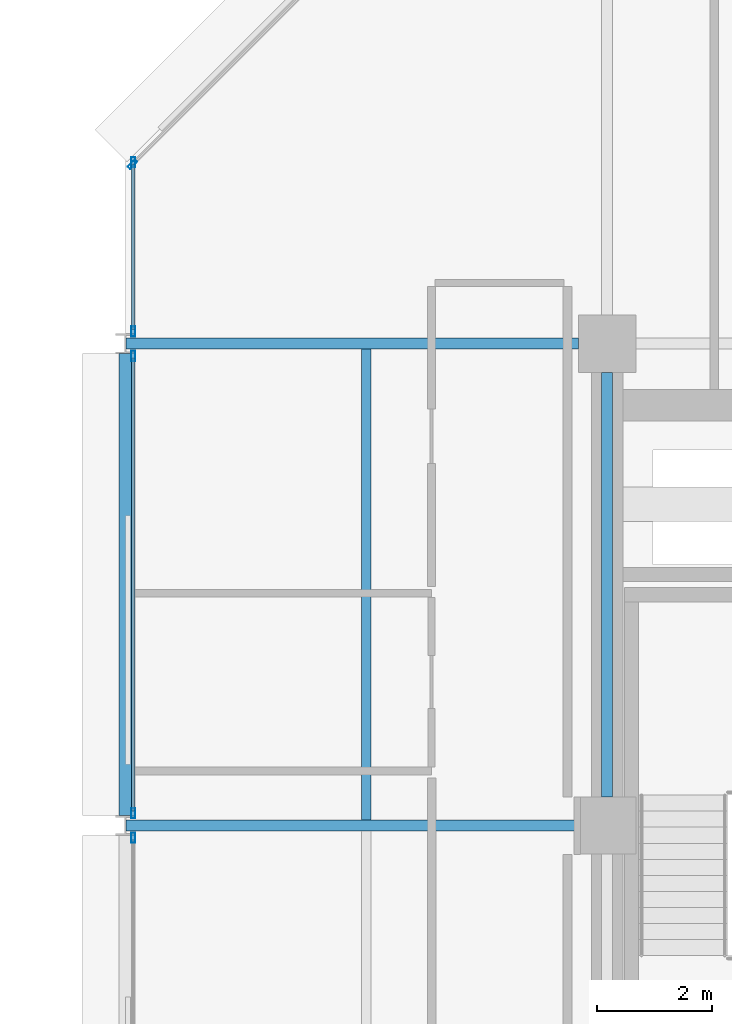
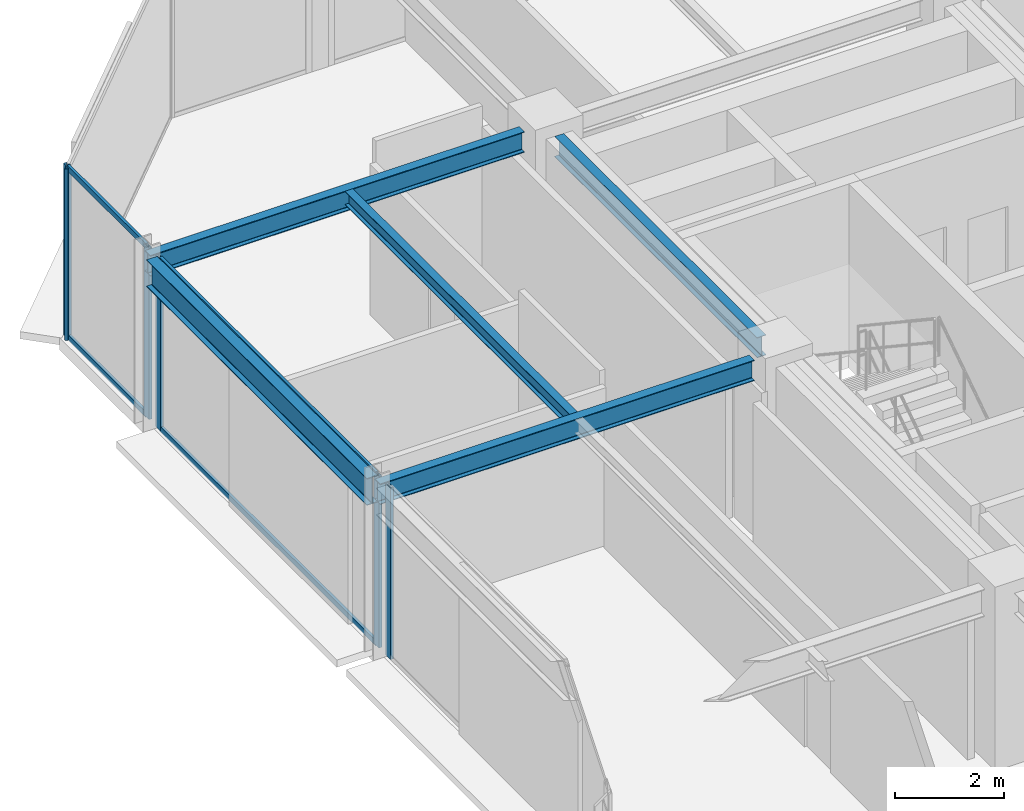
# One storey, part 17 of 29: 10 members, 5 beams, 4 elements without a shape of their own.
"""IFC4 building model written with IfcOpenShell, lengths in metres."""

from ifc_helpers import new_model, si_unit, direction, frame, origin, origin_2d, place, context, subcontext, project, spatial, hollow_rectangle, i_section, extrude, material, layer, layer_set, material_profile, profile_set, type_object, element, aggregate, save


model = new_model("IFC4")

# Units and contexts
model_context = context("Model", 3, precision=1e-05, world=origin(), true_north=direction((0.0, 1.0)))
body_context = subcontext(model_context, "Body", "Model", "MODEL_VIEW")
ifc_project = project(units=[si_unit("LENGTHUNIT", "METRE"), si_unit("AREAUNIT", "SQUARE_METRE"), si_unit("VOLUMEUNIT", "CUBIC_METRE"), si_unit("PLANEANGLEUNIT", "RADIAN"), si_unit("MASSUNIT", "GRAM", prefix="KILO")], contexts=[model_context])

# Site, building, storey
site_placement = place(None, origin())
site = spatial("IfcSite", under=ifc_project, at=site_placement, CompositionType="ELEMENT")
building_placement = place(site_placement, origin())
building = spatial("IfcBuilding", under=site, at=building_placement, Name="Nerrivon Quay Data Exchange", CompositionType="ELEMENT")
storey_placement = place(building_placement, frame((0.0, 0.0, 179.60009765625)))
storey = spatial("IfcBuildingStorey", under=building, at=storey_placement, Name="L42", CompositionType="ELEMENT", Elevation=179.60009765625)

# Beams
ifc_material_1 = material(Name="Steel Grade 350", Category="steel")
ifc_material_profile_1 = material_profile(ifc_material_1, i_section(OverallWidth=0.22802734375, OverallDepth=0.60205078125, WebThickness=0.010498046875, FlangeThickness=0.014892578125, FilletRadius=0.013916015625, at=origin_2d()), Name="610UB101")
ifc_profile_set_1 = profile_set([ifc_material_profile_1], Name="Steel Grade 350")
beam_type_1 = type_object("IfcBeamType", Name="BM-G2-610UB101", PredefinedType="BEAM", material=ifc_profile_set_1)
beam_1_placement = place(storey_placement, frame((0.0, 33.77490234375, 3.52392578125), z_axis=(0.0, 1.0, 0.0), x_axis=(-1.0, 0.0, 0.0)))
element("IfcBeam", 1, at=beam_1_placement, inside=storey, type_object=beam_type_1, Name="L42 NS Girder X=0.0 (33.6..42.0)", PredefinedType="BEAM", context=body_context, shape_type="SweptSolid", body=[
    extrude(i_section(OverallWidth=0.22802734375, OverallDepth=0.60205078125, WebThickness=0.010498046875, FlangeThickness=0.014892578125, FilletRadius=0.013916015625, at=origin_2d()), origin(), (0.0, 0.0, 1.0), 8.050048828125),
])
ifc_material_profile_2 = material_profile(ifc_material_1, i_section(OverallWidth=0.19091796875, OverallDepth=0.4599609375, WebThickness=0.010009765625, FlangeThickness=0.01611328125, FilletRadius=0.011474609375, at=origin_2d()), Name="460UB82.1")
ifc_profile_set_2 = profile_set([ifc_material_profile_2], Name="Steel Grade 350")
beam_type_2 = type_object("IfcBeamType", Name="BM-G5-460UB82", PredefinedType="BEAM", material=ifc_profile_set_2)
for number, where, z_axis, x_axis, name in (
    (2, (0.010009765625, 33.60009765625, 3.594970703125), (1.0, 0.0, 0.0), (0.0, 1.0, 0.0), "L42 EW Girder Y=33.6 (0.0..8.4)"),
    (3, (0.010009765625, 42.0, 3.594970703125), (1.0, 0.0, 0.0), (0.0, 1.0, 0.0), "L42 EW Girder Y=42.0 (0.0..8.4)"),
):
    element("IfcBeam", number, at=place(storey_placement, frame(where, z_axis=z_axis, x_axis=x_axis)), inside=storey, type_object=beam_type_2, Name=name, PredefinedType="BEAM", context=body_context, shape_type="SweptSolid", body=[
        extrude(i_section(OverallWidth=0.19091796875, OverallDepth=0.4599609375, WebThickness=0.010009765625, FlangeThickness=0.01611328125, FilletRadius=0.011474609375, at=origin_2d()), origin(), (0.0, 0.0, 1.0), 7.889892578125),
    ])
ifc_material_profile_3 = material_profile(ifc_material_1, i_section(OverallWidth=0.18994140625, OverallDepth=0.4541015625, WebThickness=0.008544921875, FlangeThickness=0.0126953125, FilletRadius=0.011474609375, at=origin_2d()), Name="460UB67.1")
ifc_profile_set_3 = profile_set([ifc_material_profile_3], Name="Steel Grade 350")
beam_type_3 = type_object("IfcBeamType", Name="BM-G6-460UB67", PredefinedType="BEAM", material=ifc_profile_set_3)
beam_2_placement = place(storey_placement, frame((8.39990234375, 34.10009765625, 3.597900390625), z_axis=(0.0, 1.0, 0.0), x_axis=(-1.0, 0.0, 0.0)))
element("IfcBeam", 4, at=beam_2_placement, inside=storey, type_object=beam_type_3, Name="L42 NS Girder X=8.4 (33.6..42.0)", PredefinedType="BEAM", context=body_context, shape_type="SweptSolid", body=[
    extrude(i_section(OverallWidth=0.18994140625, OverallDepth=0.4541015625, WebThickness=0.008544921875, FlangeThickness=0.0126953125, FilletRadius=0.011474609375, at=origin_2d()), origin(), (0.0, 0.0, 1.0), 7.39990234375),
])
ifc_material_profile_4 = material_profile(ifc_material_1, i_section(OverallWidth=0.166015625, OverallDepth=0.306884765625, WebThickness=0.006591796875, FlangeThickness=0.01171875, FilletRadius=0.011474609375, at=origin_2d()), Name="310UB46.2")
ifc_profile_set_4 = profile_set([ifc_material_profile_4], Name="Steel Grade 350")
beam_type_4 = type_object("IfcBeamType", Name="BM-J5-310UB46", PredefinedType="JOIST", material=ifc_profile_set_4)
beam_3_placement = place(storey_placement, frame((4.199951171875, 33.695556640625, 3.67138671875), z_axis=(0.0, 1.0, 0.0), x_axis=(-1.0, 0.0, 0.0)))
element("IfcBeam", 5, at=beam_3_placement, inside=storey, type_object=beam_type_4, Name="L42 Secondary Joist X=4.2 (33.6..42.0)", PredefinedType="JOIST", context=body_context, shape_type="SweptSolid", body=[
    extrude(i_section(OverallWidth=0.166015625, OverallDepth=0.306884765625, WebThickness=0.006591796875, FlangeThickness=0.01171875, FilletRadius=0.011474609375, at=origin_2d()), origin(), (0.0, 0.0, 1.0), 8.208984375),
])

# Curtain wall, member
ifc_material_2 = material(Name="Anodised aluminium 6063-T6", Category="aluminium")
ifc_layer = layer(ifc_material_2, 0.195068359375)
ifc_layer_set = layer_set([ifc_layer], Name="Anodised aluminium 6063-T6")
curtain_wall_type = type_object("IfcCurtainWallType", Name="CW-SYS-06", PredefinedType="NOTDEFINED", material=ifc_layer_set)
curtain_wall_1_placement = place(storey_placement, origin())
curtain_wall_1 = element("IfcCurtainWall", 6, at=curtain_wall_1_placement, inside=storey, type_object=curtain_wall_type, Name="L42 Unitised Curtain Wall 4", PredefinedType="NOTDEFINED")
ifc_material_profile_5 = material_profile(ifc_material_2, hollow_rectangle(XDim=0.06494140625, YDim=0.179931640625, WallThickness=0.00341796875, at=origin_2d()), Name="ALU-MULL-180x65")
ifc_profile_set_5 = profile_set([ifc_material_profile_5], Name="Anodised aluminium 6063-T6")
member_type_1 = type_object("IfcMemberType", Name="CWM-180x65", PredefinedType="MULLION", material=ifc_profile_set_5)
member_1_placement = place(storey_placement, frame((0.139892578125, 33.387451171875, 0.0), z_axis=(0.0, 0.0, 1.0), x_axis=(-1.0, 0.0, 0.0)))
member_1 = element("IfcMember", 7, at=member_1_placement, type_object=member_type_1, Name="CW06 mullion 2", PredefinedType="MULLION", context=body_context, shape_type="SweptSolid", body=[
    extrude(hollow_rectangle(XDim=0.06494140625, YDim=0.179931640625, WallThickness=0.00341796875, at=origin_2d()), origin(), (0.0, 0.0, 1.0), 3.824951171875),
])
aggregate(curtain_wall_1, [member_1])

# Curtain wall, members
curtain_wall_2_placement = place(storey_placement, origin())
curtain_wall_2 = element("IfcCurtainWall", 8, at=curtain_wall_2_placement, inside=storey, type_object=curtain_wall_type, Name="L42 Unitised Curtain Wall 5", PredefinedType="NOTDEFINED")
member_2_placement = place(storey_placement, frame((0.139892578125, 33.8125, 0.0), z_axis=(0.0, 0.0, 1.0), x_axis=(-1.0, 0.0, 0.0)))
member_2 = element("IfcMember", 9, at=member_2_placement, type_object=member_type_1, Name="CW06 mullion 1", PredefinedType="MULLION", context=body_context, shape_type="SweptSolid", body=[
    extrude(hollow_rectangle(XDim=0.06494140625, YDim=0.179931640625, WallThickness=0.00341796875, at=origin_2d()), origin(), (0.0, 0.0, 1.0), 3.824951171875),
])
member_3_placement = place(storey_placement, frame((0.139892578125, 41.78759765625, 0.0), z_axis=(0.0, 0.0, 1.0), x_axis=(-1.0, 0.0, 0.0)))
member_3 = element("IfcMember", 10, at=member_3_placement, type_object=member_type_1, Name="CW06 mullion 2", PredefinedType="MULLION", context=body_context, shape_type="SweptSolid", body=[
    extrude(hollow_rectangle(XDim=0.06494140625, YDim=0.179931640625, WallThickness=0.00341796875, at=origin_2d()), origin(), (0.0, 0.0, 1.0), 3.824951171875),
])

curtain_wall_3_placement = place(storey_placement, origin())
curtain_wall_3 = element("IfcCurtainWall", 11, at=curtain_wall_3_placement, inside=storey, type_object=curtain_wall_type, Name="L42 Unitised Curtain Wall 6", PredefinedType="NOTDEFINED")
member_4_placement = place(storey_placement, frame((0.139892578125, 42.21240234375, 0.0), z_axis=(0.0, 0.0, 1.0), x_axis=(-1.0, 0.0, 0.0)))
member_4 = element("IfcMember", 12, at=member_4_placement, type_object=member_type_1, Name="CW06 mullion 1", PredefinedType="MULLION", context=body_context, shape_type="SweptSolid", body=[
    extrude(hollow_rectangle(XDim=0.06494140625, YDim=0.179931640625, WallThickness=0.00341796875, at=origin_2d()), origin(), (0.0, 0.0, 1.0), 3.824951171875),
])
member_5_placement = place(storey_placement, frame((0.139892578125, 45.16259765625, 0.0), z_axis=(0.0, 0.0, 1.0), x_axis=(-1.0, 0.0, 0.0)))
member_5 = element("IfcMember", 13, at=member_5_placement, type_object=member_type_1, Name="CW06 mullion 2", PredefinedType="MULLION", context=body_context, shape_type="SweptSolid", body=[
    extrude(hollow_rectangle(XDim=0.06494140625, YDim=0.179931640625, WallThickness=0.00341796875, at=origin_2d()), origin(), (0.0, 0.0, 1.0), 3.824951171875),
])

# Curtain wall, member
curtain_wall_4_placement = place(storey_placement, origin())
curtain_wall_4 = element("IfcCurtainWall", 14, at=curtain_wall_4_placement, inside=storey, type_object=curtain_wall_type, Name="L42 Unitised Curtain Wall 7", PredefinedType="NOTDEFINED")
member_6_placement = place(storey_placement, frame((0.12548828125, 45.12744140625, 0.0), z_axis=(0.0, 0.0, 1.0), x_axis=(-0.707106781187, 0.707106781187, 0.0)))
member_6 = element("IfcMember", 15, at=member_6_placement, type_object=member_type_1, Name="CW06 mullion 1", PredefinedType="MULLION", context=body_context, shape_type="SweptSolid", body=[
    extrude(hollow_rectangle(XDim=0.06494140625, YDim=0.179931640625, WallThickness=0.00341796875, at=origin_2d()), origin(), (0.0, 0.0, 1.0), 3.824951171875),
])
aggregate(curtain_wall_4, [member_6])

# Member
ifc_material_profile_6 = material_profile(ifc_material_2, hollow_rectangle(XDim=0.06005859375, YDim=0.1201171875, WallThickness=0.003173828125, at=origin_2d()), Name="ALU-TRAN-120x60")
ifc_profile_set_6 = profile_set([ifc_material_profile_6], Name="Anodised aluminium 6063-T6")
member_type_2 = type_object("IfcMemberType", Name="CWT-120x60", PredefinedType="USERDEFINED", material=ifc_profile_set_6)
member_7_placement = place(storey_placement, frame((0.139892578125, 33.85009765625, 0.032470703125), z_axis=(0.0, 1.0, 0.0), x_axis=(-1.0, 0.0, 0.0)))
member_7 = element("IfcMember", 16, at=member_7_placement, type_object=member_type_2, Name="CW06 transom 1.1", ObjectType="TRANSOM", PredefinedType="USERDEFINED", context=body_context, shape_type="SweptSolid", body=[
    extrude(hollow_rectangle(XDim=0.06005859375, YDim=0.1201171875, WallThickness=0.003173828125, at=origin_2d()), origin(), (0.0, 0.0, 1.0), 7.89990234375),
])

member_8_placement = place(storey_placement, frame((0.139892578125, 33.85009765625, 3.79248046875), z_axis=(0.0, 1.0, 0.0), x_axis=(-1.0, 0.0, 0.0)))
member_8 = element("IfcMember", 17, at=member_8_placement, type_object=member_type_2, Name="CW06 transom 1.2", ObjectType="TRANSOM", PredefinedType="USERDEFINED", context=body_context, shape_type="SweptSolid", body=[
    extrude(hollow_rectangle(XDim=0.06005859375, YDim=0.1201171875, WallThickness=0.003173828125, at=origin_2d()), origin(), (0.0, 0.0, 1.0), 7.89990234375),
])

aggregate(curtain_wall_2, [member_2, member_3, member_7, member_8])

member_9_placement = place(storey_placement, frame((0.139892578125, 42.25, 0.032470703125), z_axis=(0.0, 1.0, 0.0), x_axis=(-1.0, 0.0, 0.0)))
member_9 = element("IfcMember", 18, at=member_9_placement, type_object=member_type_2, Name="CW06 transom 1.1", ObjectType="TRANSOM", PredefinedType="USERDEFINED", context=body_context, shape_type="SweptSolid", body=[
    extrude(hollow_rectangle(XDim=0.06005859375, YDim=0.1201171875, WallThickness=0.003173828125, at=origin_2d()), origin(), (0.0, 0.0, 1.0), 2.875),
])

member_10_placement = place(storey_placement, frame((0.139892578125, 42.25, 3.79248046875), z_axis=(0.0, 1.0, 0.0), x_axis=(-1.0, 0.0, 0.0)))
member_10 = element("IfcMember", 19, at=member_10_placement, type_object=member_type_2, Name="CW06 transom 1.2", ObjectType="TRANSOM", PredefinedType="USERDEFINED", context=body_context, shape_type="SweptSolid", body=[
    extrude(hollow_rectangle(XDim=0.06005859375, YDim=0.1201171875, WallThickness=0.003173828125, at=origin_2d()), origin(), (0.0, 0.0, 1.0), 2.875),
])

aggregate(curtain_wall_3, [member_4, member_5, member_9, member_10])

save(model, "model.ifc")
